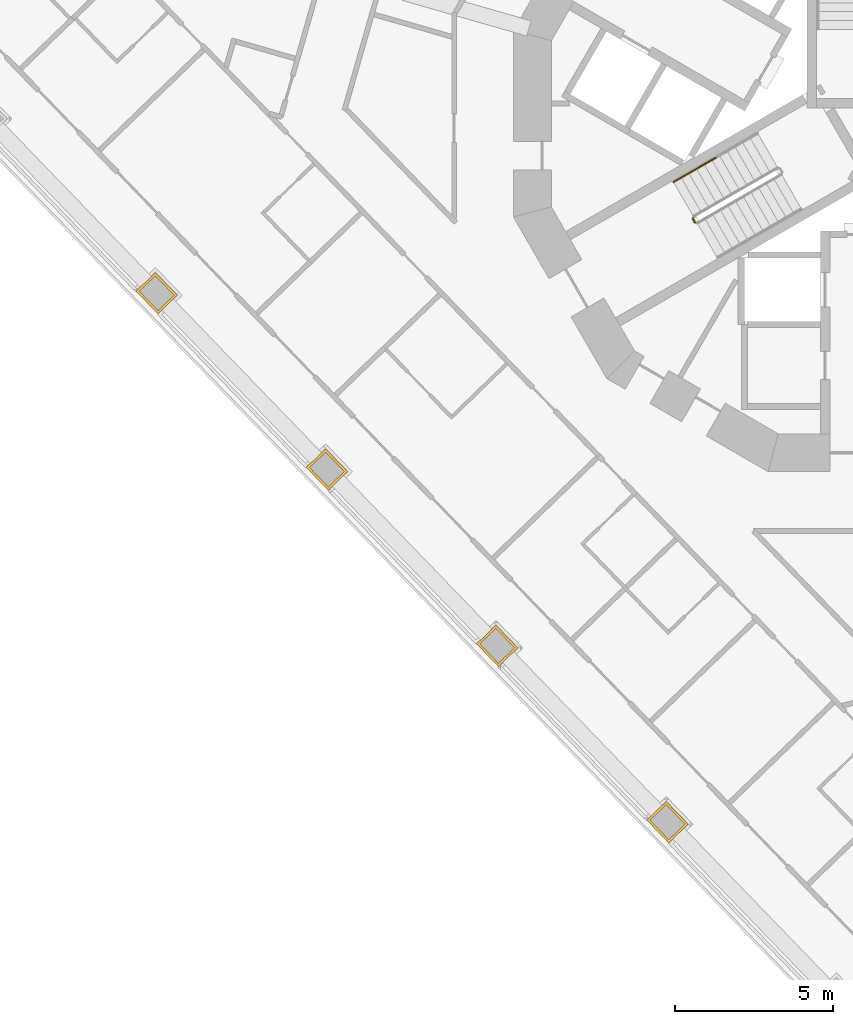
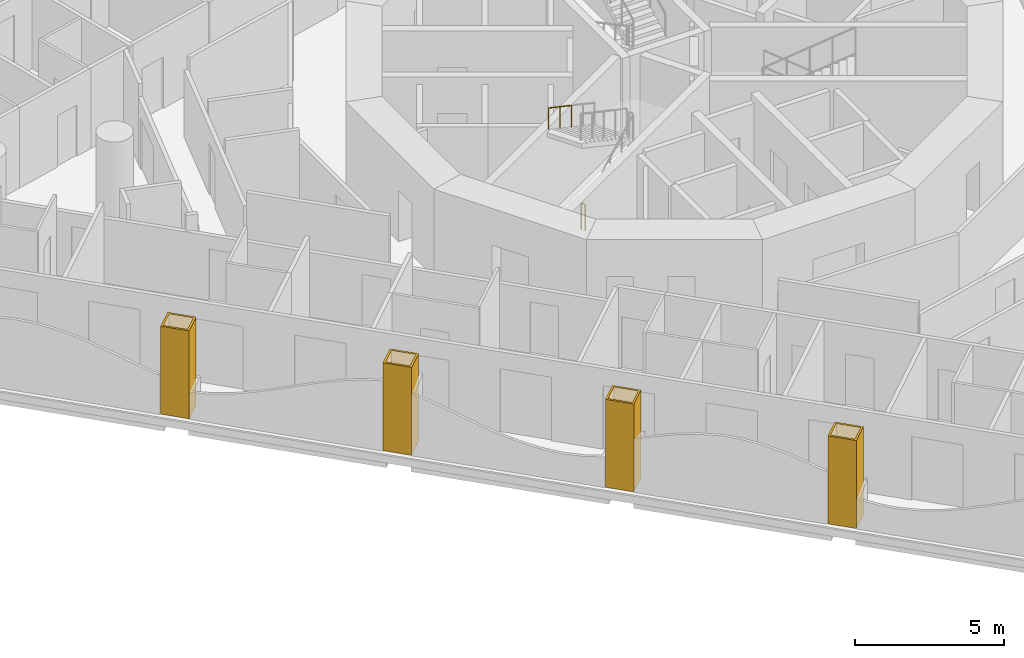
# One storey, part 12 of 19: 4 coverings, 2 railings.
"""IFC4 building model written with IfcOpenShell, lengths in metres."""

import ifcopenshell
import ifcopenshell.guid

model = None  # the IFC model being written
_history = None  # IfcOwnerHistory: only IFC2X3 demands one
_inside = {}  # id of a spatial element -> (the spatial element, [elements in it])
_under = {}  # id of a project, library or spatial element -> (it, [spatial elements below it])
_declared = {}  # id of a project -> (the project, [libraries it declares])
_typed = {}  # id of a type object -> (the type object, [elements of that type])
_made_of = {}  # id of a material, layer set ... -> (it, [elements and type objects made of it])


def new_model(schema):
    """Start an empty IFC model of exactly this schema.

    Asked for "IFC4X3", IfcOpenShell would pick the latest addendum, in which some entities
    have other attributes; the version numbers below select the first issue.
    IFC2X3 requires an IfcOwnerHistory on every rooted entity: one is made here for all.
    """
    global model, _history
    if schema == "IFC4X3":
        model = ifcopenshell.file(schema_version=(4, 3, 0, 0))
    else:
        model = ifcopenshell.file(schema=schema)
    _inside.clear()
    _under.clear()
    _declared.clear()
    _typed.clear()
    _made_of.clear()
    _history = None
    if model.schema == "IFC2X3":
        org = make("IfcOrganization", Name="unknown")
        user = make(
            "IfcPersonAndOrganization",
            ThePerson=make("IfcPerson", FamilyName="unknown"),
            TheOrganization=org,
        )
        app = make(
            "IfcApplication",
            ApplicationDeveloper=org,
            Version="unknown",
            ApplicationFullName="unknown",
            ApplicationIdentifier="unknown",
        )
        _history = make(
            "IfcOwnerHistory",
            OwningUser=user,
            OwningApplication=app,
            ChangeAction="ADDED",
            CreationDate=0,
        )
    return model


def make(cls, **values):
    """One entity of the class cls with the attributes given. An attribute that is None is left unset."""
    return model.create_entity(
        cls, **{name: value for name, value in values.items() if value is not None}
    )


def rooted(cls, **values):
    """An entity with a GlobalId (a new one), such as an element, a storey or a relation."""
    return make(cls, GlobalId=ifcopenshell.guid.new(), OwnerHistory=_history, **values)


def si_unit(unit_type, name, prefix=None):
    """IfcSIUnit, for example si_unit("LENGTHUNIT", "METRE", prefix="MILLI")."""
    return make("IfcSIUnit", UnitType=unit_type, Prefix=prefix, Name=name)


def assignment(units):
    """IfcUnitAssignment: the units of a project."""
    return None if units is None else make("IfcUnitAssignment", Units=units)


def point(xyz):
    """IfcCartesianPoint."""
    return None if xyz is None else make("IfcCartesianPoint", Coordinates=xyz)


def direction(xyz):
    """IfcDirection."""
    return None if xyz is None else make("IfcDirection", DirectionRatios=xyz)


def frame(location, z_axis=None, x_axis=None):
    """IfcAxis2Placement3D, a coordinate frame: its origin and axes. An axis left out is left unset."""
    return make(
        "IfcAxis2Placement3D",
        Location=point(location),
        Axis=direction(z_axis),
        RefDirection=direction(x_axis),
    )


def frame_2d(location, x_axis=None):
    """IfcAxis2Placement2D, a coordinate frame in the plane: its origin and x axis."""
    return make(
        "IfcAxis2Placement2D", Location=point(location), RefDirection=direction(x_axis)
    )


def origin():
    """The frame at (0, 0, 0) with its axes left unset."""
    return frame((0.0, 0.0, 0.0))


def origin_2d():
    """The frame at (0, 0) in the plane with its x axis left unset."""
    return frame_2d((0.0, 0.0))


def place(relative_to, where):
    """IfcLocalPlacement: puts the frame where relative to a parent placement (None: the world)."""
    return make(
        "IfcLocalPlacement", PlacementRelTo=relative_to, RelativePlacement=where
    )


def context(
    kind, dimensions, precision=None, world=None, true_north=None, identifier=None
):
    """IfcGeometricRepresentationContext, for example the 3D "Model" context."""
    return make(
        "IfcGeometricRepresentationContext",
        ContextIdentifier=identifier,
        ContextType=kind,
        CoordinateSpaceDimension=dimensions,
        Precision=precision,
        WorldCoordinateSystem=world,
        TrueNorth=true_north,
    )


def subcontext(parent, identifier, kind, view, scale=None):
    """IfcGeometricRepresentationSubContext, for example "Body" below "Model"."""
    return make(
        "IfcGeometricRepresentationSubContext",
        ContextIdentifier=identifier,
        ContextType=kind,
        ParentContext=parent,
        TargetScale=scale,
        TargetView=view,
    )


def project(units=None, contexts=None):
    """IfcProject with its units and contexts."""
    return rooted(
        "IfcProject",
        Name="project",
        RepresentationContexts=contexts,
        UnitsInContext=assignment(units),
    )


def spatial(cls, under=None, at=None, **own):
    """A site, building, storey or space (cls), placed at a placement, below another one or the project."""
    s = rooted(cls, ObjectPlacement=at, **own)
    if under is not None:
        _under.setdefault(under.id(), (under, []))[1].append(s)
    return s


def polyline(points):
    """IfcPolyline through the points."""
    return make("IfcPolyline", Points=[point(p) for p in points])


def profile(cls, at=None, kind="AREA", **sizes):
    """A parametric profile (cls). Its sizes go by their IFC names, for example OverallWidth=200.0."""
    return make(cls, ProfileType=kind, Position=at, **sizes)


def circle(**sizes):
    """IfcCircleProfileDef."""
    return profile("IfcCircleProfileDef", **sizes)


def outline(outer, holes=None, kind="AREA"):
    """IfcArbitraryClosedProfileDef: a profile drawn as a closed curve; with holes, ...WithVoids."""
    if holes is None:
        return make("IfcArbitraryClosedProfileDef", ProfileType=kind, OuterCurve=outer)
    return make(
        "IfcArbitraryProfileDefWithVoids",
        ProfileType=kind,
        OuterCurve=outer,
        InnerCurves=holes,
    )


def extrude(swept, where, along, depth):
    """IfcExtrudedAreaSolid: the profile swept, set in the frame where, extruded along a direction by depth."""
    return make(
        "IfcExtrudedAreaSolid",
        SweptArea=swept,
        Position=where,
        ExtrudedDirection=direction(along),
        Depth=depth,
    )


def shape(context_of_items, identifier, shape_type, items):
    """IfcShapeRepresentation: the items that make up one representation, for example the "Body"."""
    return make(
        "IfcShapeRepresentation",
        ContextOfItems=context_of_items,
        RepresentationIdentifier=identifier,
        RepresentationType=shape_type,
        Items=items,
    )


def material(Name=None, Category=None):
    """IfcMaterial."""
    return make("IfcMaterial", Name=Name, Category=Category)


def layer(
    of_material, thickness, ventilated=None, Name=None, Category=None, Priority=None
):
    """IfcMaterialLayer: one layer of a wall or slab, of a material (None: an air gap)."""
    return make(
        "IfcMaterialLayer",
        Material=of_material,
        LayerThickness=thickness,
        IsVentilated=ventilated,
        Name=Name,
        Category=Category,
        Priority=Priority,
    )


def layer_set(layers, Name=None):
    """IfcMaterialLayerSet."""
    return make("IfcMaterialLayerSet", MaterialLayers=layers, LayerSetName=Name)


def made_of(thing, what):
    """Note that an element or type object is made of a material, layer set ...; save() writes the relation."""
    if what is not None:
        _made_of.setdefault(what.id(), (what, []))[1].append(thing)
    return thing


def type_object(cls, material=None, **own):
    """A type object (cls), such as IfcWallType, which elements share."""
    return made_of(rooted(cls, **own), material)


def element(
    cls,
    number,
    at=None,
    inside=None,
    cuts=None,
    type_object=None,
    material=None,
    context=None,
    identifier="Body",
    shape_type=None,
    held_by="IfcProductDefinitionShape",
    body=None,
    shapes=None,
    **own,
):
    """One element of the class cls, such as IfcWall. Its Tag is "e" and its number.

    at: its placement. inside: the storey or other place that contains it. cuts: it is an
    opening in that element (IfcRelVoidsElement). A single representation is given by context,
    identifier, shape_type and body (its items); several are given by shapes. held_by: the class
    of the entity that holds the representations. save() writes the other relations.
    """
    e = rooted(cls, Tag="e%d" % number, ObjectPlacement=at, **own)
    if body is not None:
        shapes = [shape(context, identifier, shape_type, body)]
    if shapes is not None:
        e.Representation = make(held_by, Representations=shapes)
    if inside is not None:
        _inside.setdefault(inside.id(), (inside, []))[1].append(e)
    if cuts is not None:
        rooted(
            "IfcRelVoidsElement", RelatingBuildingElement=cuts, RelatedOpeningElement=e
        )
    if type_object is not None:
        _typed.setdefault(type_object.id(), (type_object, []))[1].append(e)
    return made_of(e, material)


def aggregate(whole, parts):
    """IfcRelAggregates: a whole, such as a stair, and the parts it consists of."""
    return rooted("IfcRelAggregates", RelatingObject=whole, RelatedObjects=parts)


def save(model, path):
    """Write the relations noted so far, then the file.

    IfcRelAggregates (storeys below a building ...), IfcRelContainedInSpatialStructure (elements
    in a storey), IfcRelDefinesByType, IfcRelAssociatesMaterial and IfcRelDeclares: one each for
    every whole, place, type object, material and project.
    """
    for whole, parts in _under.values():
        aggregate(whole, parts)
    for where, things in _inside.values():
        rooted(
            "IfcRelContainedInSpatialStructure",
            RelatedElements=things,
            RelatingStructure=where,
        )
    for kind, things in _typed.values():
        rooted("IfcRelDefinesByType", RelatedObjects=things, RelatingType=kind)
    for what, things in _made_of.values():
        rooted("IfcRelAssociatesMaterial", RelatedObjects=things, RelatingMaterial=what)
    for by, libraries in _declared.values():
        rooted("IfcRelDeclares", RelatingContext=by, RelatedDefinitions=libraries)
    model.write(path)


model = new_model("IFC4")

# Units and contexts
model_context = context("Model", 3, precision=1e-05, world=origin(), true_north=direction((0.0, 1.0)))
body_context = subcontext(model_context, "Body", "Model", "MODEL_VIEW")
ifc_project = project(units=[si_unit("LENGTHUNIT", "METRE"), si_unit("AREAUNIT", "SQUARE_METRE"), si_unit("VOLUMEUNIT", "CUBIC_METRE"), si_unit("PLANEANGLEUNIT", "RADIAN"), si_unit("MASSUNIT", "GRAM", prefix="KILO")], contexts=[model_context])

# Site, building, storey
site_placement = place(None, origin())
site = spatial("IfcSite", under=ifc_project, at=site_placement, CompositionType="ELEMENT")
building_placement = place(site_placement, origin())
building = spatial("IfcBuilding", under=site, at=building_placement, Name="Trine Commons Tower", CompositionType="ELEMENT")
storey_placement = place(building_placement, frame((0.0, 0.0, 98.10009765625)))
storey = spatial("IfcBuildingStorey", under=building, at=storey_placement, Name="L24", CompositionType="ELEMENT", Elevation=98.10009765625)

# Coverings
ifc_material_1 = material(Name="Limestone, honed", Category="masonry")
ifc_layer = layer(ifc_material_1, 0.074951171875)
ifc_layer_set = layer_set([ifc_layer], Name="Limestone, honed")
covering_type = type_object("IfcCoveringType", Name="Limestone column cladding 75", PredefinedType="CLADDING", material=ifc_layer_set)
covering_1_placement = place(storey_placement, origin())
element("IfcCovering", 1, at=covering_1_placement, inside=storey, type_object=covering_type, Name="Limestone pier cladding 3-03", PredefinedType="CLADDING", context=body_context, shape_type="SweptSolid", body=[
    extrude(outline(polyline([(73.8212890625, 41.0517578125), (73.209716796875, 40.461181640625), (73.904296875, 39.741943359375), (74.515869140625, 40.33251953125), (73.8212890625, 41.0517578125)]), holes=[polyline([(73.8193359375, 40.945556640625), (73.31591796875, 40.45947265625), (73.90625, 39.847900390625), (74.409912109375, 40.334228515625), (73.8193359375, 40.945556640625)])]), origin(), (0.0, 0.0, 1.0), 3.599853515625),
])
covering_2_placement = place(storey_placement, origin())
element("IfcCovering", 2, at=covering_2_placement, inside=storey, type_object=covering_type, Name="Limestone pier cladding 3-04", PredefinedType="CLADDING", context=body_context, shape_type="SweptSolid", body=[
    extrude(outline(polyline([(68.432373046875, 46.632080078125), (67.82080078125, 46.04150390625), (68.515380859375, 45.322265625), (69.126953125, 45.912841796875), (68.432373046875, 46.632080078125)]), holes=[polyline([(68.430419921875, 46.52587890625), (67.927001953125, 46.039794921875), (68.517333984375, 45.428466796875), (69.02099609375, 45.91455078125), (68.430419921875, 46.52587890625)])]), origin(), (0.0, 0.0, 1.0), 3.599853515625),
])
covering_3_placement = place(storey_placement, origin())
element("IfcCovering", 3, at=covering_3_placement, inside=storey, type_object=covering_type, Name="Limestone pier cladding 3-05", PredefinedType="CLADDING", context=body_context, shape_type="SweptSolid", body=[
    extrude(outline(polyline([(63.04345703125, 52.21240234375), (62.431884765625, 51.6220703125), (63.126708984375, 50.902587890625), (63.738037109375, 51.4931640625), (63.04345703125, 52.21240234375)]), holes=[polyline([(63.04150390625, 52.1064453125), (62.5380859375, 51.6201171875), (63.12841796875, 51.0087890625), (63.632080078125, 51.4951171875), (63.04150390625, 52.1064453125)])]), origin(), (0.0, 0.0, 1.0), 3.599853515625),
])
covering_4_placement = place(storey_placement, origin())
element("IfcCovering", 4, at=covering_4_placement, inside=storey, type_object=covering_type, Name="Limestone pier cladding 3-06", PredefinedType="CLADDING", context=body_context, shape_type="SweptSolid", body=[
    extrude(outline(polyline([(57.654296875, 57.792724609375), (57.04296875, 57.202392578125), (57.737548828125, 56.48291015625), (58.34912109375, 57.073486328125), (57.654296875, 57.792724609375)]), holes=[polyline([(57.652587890625, 57.686767578125), (57.14892578125, 57.200439453125), (57.739501953125, 56.589111328125), (58.242919921875, 57.0751953125), (57.652587890625, 57.686767578125)])]), origin(), (0.0, 0.0, 1.0), 3.599853515625),
])

# Railings
ifc_material_2 = material(Name="Stainless steel balustrade", Category="steel")
railing_type_1 = type_object("IfcRailingType", Name="Stair guard, steel balustrade 1100", PredefinedType="GUARDRAIL", material=ifc_material_2)
railing_1_placement = place(storey_placement, frame((74.73681640625, 59.374755859375, 0.0)))
element("IfcRailing", 5, at=railing_1_placement, inside=storey, type_object=railing_type_1, Name="L24 ST2A stair guard 4", PredefinedType="GUARDRAIL", context=body_context, shape_type="SweptSolid", body=[
    extrude(circle(Radius=0.02392578125, at=origin_2d()), frame((0.0, 0.0, 1.076171875), z_axis=(-0.499816412211, 0.866131372301, 0.0), x_axis=(-0.866131372301, -0.499816412211, 0.0)), (0.0, 0.0, 1.0), 0.14990234375),
    extrude(circle(Radius=0.02099609375, at=origin_2d()), origin(), (0.0, 0.0, 1.0), 1.052001953125),
    extrude(circle(Radius=0.02099609375, at=origin_2d()), frame((-0.074951171875, 0.1298828125, 0.0)), (0.0, 0.0, 1.0), 1.052001953125),
])
ifc_material_3 = material(Name="Stainless steel handrail", Category="steel")
railing_type_2 = type_object("IfcRailingType", Name="Stair handrail, steel 900", PredefinedType="HANDRAIL", material=ifc_material_3)
railing_2_placement = place(storey_placement, frame((75.388916015625, 61.425537109375, 2.77490234375)))
element("IfcRailing", 6, at=railing_2_placement, inside=storey, type_object=railing_type_2, Name="L24 ST2A stair handrail 4", PredefinedType="HANDRAIL", context=body_context, shape_type="SweptSolid", body=[
    extrude(circle(Radius=0.02099609375, at=origin_2d()), frame((0.0, 0.0, 0.87890625), z_axis=(-0.76340495495, -0.440743040072, 0.472184759798), x_axis=(0.499992328818, -0.866029832698, 0.0)), (0.0, 0.0, 1.0), 1.7470703125),
    extrude(circle(Radius=0.01513671875, at=origin_2d()), origin(), (0.0, 0.0, 1.0), 0.85791015625),
    extrude(circle(Radius=0.01513671875, at=origin_2d()), frame((-0.6669921875, -0.385009765625, 0.41259765625)), (0.0, 0.0, 1.0), 0.85791015625),
    extrude(circle(Radius=0.01513671875, at=origin_2d()), frame((-1.333740234375, -0.77001953125, 0.824951171875)), (0.0, 0.0, 1.0), 0.85791015625),
])

save(model, "model.ifc")
